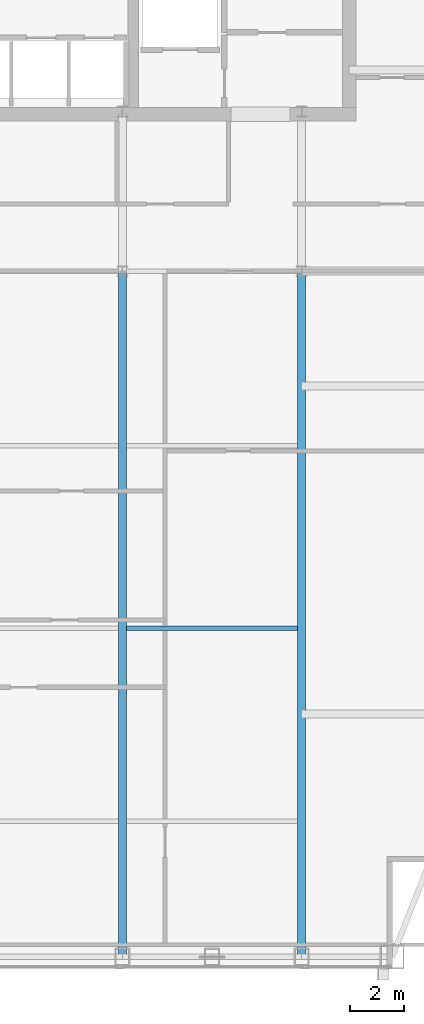
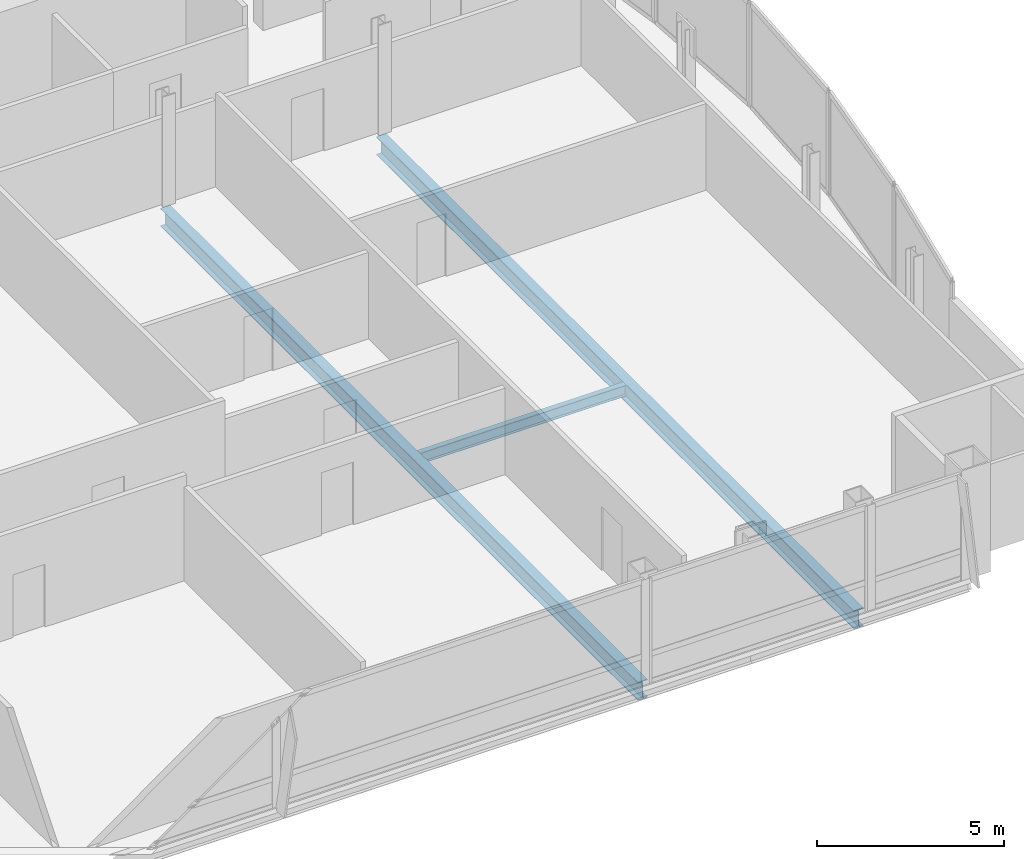
# One storey, part 13 of 27: 3 beams.
"""IFC4 building model written with IfcOpenShell, lengths in metres."""

from ifc_helpers import new_model, si_unit, direction, frame, origin, origin_2d, place, context, subcontext, project, spatial, i_section, extrude, material, material_profile, profile_set, type_object, element, save


model = new_model("IFC4")

# Units and contexts
model_context = context("Model", 3, precision=1e-05, world=origin(), true_north=direction((0.0, 1.0)))
body_context = subcontext(model_context, "Body", "Model", "MODEL_VIEW")
ifc_project = project(units=[si_unit("LENGTHUNIT", "METRE"), si_unit("AREAUNIT", "SQUARE_METRE"), si_unit("VOLUMEUNIT", "CUBIC_METRE"), si_unit("PLANEANGLEUNIT", "RADIAN"), si_unit("MASSUNIT", "GRAM", prefix="KILO")], contexts=[model_context])

# Site, building, storey
site_placement = place(None, origin())
site = spatial("IfcSite", under=ifc_project, at=site_placement, CompositionType="ELEMENT")
building_placement = place(site_placement, origin())
building = spatial("IfcBuilding", under=site, at=building_placement, Name="Khoronbel Lancet Exchange", CompositionType="ELEMENT")
storey_placement = place(building_placement, frame((0.0, 0.0, 332.60009765625)))
storey = spatial("IfcBuildingStorey", under=building, at=storey_placement, Name="L86", CompositionType="ELEMENT", Elevation=332.60009765625)

# Beams
ifc_material = material(Name="Steel S355", Category="steel")
ifc_material_profile_1 = material_profile(ifc_material, i_section(OverallWidth=0.300048828125, OverallDepth=0.60009765625, WebThickness=0.015380859375, FlangeThickness=0.030029296875, at=origin_2d()), Name="HEB 600")
ifc_profile_set_1 = profile_set([ifc_material_profile_1], Name="Steel S355")
beam_type_1 = type_object("IfcBeamType", Name="BM-BG5", PredefinedType="BEAM", material=ifc_profile_set_1)
for number, where, z_axis, x_axis, name in (
    (1, (48.0, 10.14990234375, -0.460205078125), (0.0, 1.0, 0.0), (-1.0, 0.0, 0.0), "Level L86 south primary girder GS5"),
    (2, (54.675048828125, 10.14990234375, -0.460205078125), (0.0, 1.0, 0.0), (-1.0, 0.0, 0.0), "Level L86 south primary girder GS6"),
):
    element("IfcBeam", number, at=place(storey_placement, frame(where, z_axis=z_axis, x_axis=x_axis)), inside=storey, type_object=beam_type_1, Name=name, PredefinedType="BEAM", context=body_context, shape_type="SweptSolid", body=[
        extrude(i_section(OverallWidth=0.300048828125, OverallDepth=0.60009765625, WebThickness=0.015380859375, FlangeThickness=0.030029296875, at=origin_2d()), origin(), (0.0, 0.0, 1.0), 25.550048828125),
    ])
ifc_material_profile_2 = material_profile(ifc_material, i_section(OverallWidth=0.169921875, OverallDepth=0.360107421875, WebThickness=0.008056640625, FlangeThickness=0.0126953125, at=origin_2d()), Name="IPE 360")
ifc_profile_set_2 = profile_set([ifc_material_profile_2], Name="Steel S355")
beam_type_2 = type_object("IfcBeamType", Name="BM-BJ6", PredefinedType="JOIST", material=ifc_profile_set_2)
beam_placement = place(storey_placement, frame((48.14990234375, 22.39990234375, -0.340087890625), z_axis=(1.0, 0.0, 0.0), x_axis=(0.0, 1.0, 0.0)))
element("IfcBeam", 3, at=beam_placement, inside=storey, type_object=beam_type_2, Name="Level L86 secondary composite joist J06", PredefinedType="JOIST", context=body_context, shape_type="SweptSolid", body=[
    extrude(i_section(OverallWidth=0.169921875, OverallDepth=0.360107421875, WebThickness=0.008056640625, FlangeThickness=0.0126953125, at=origin_2d()), origin(), (0.0, 0.0, 1.0), 6.375),
])

save(model, "model.ifc")
